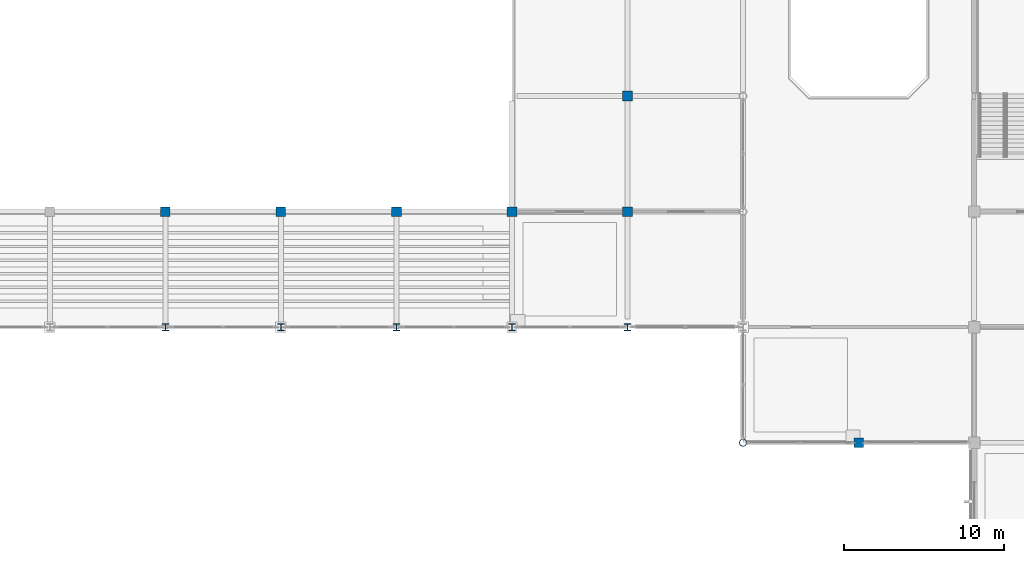
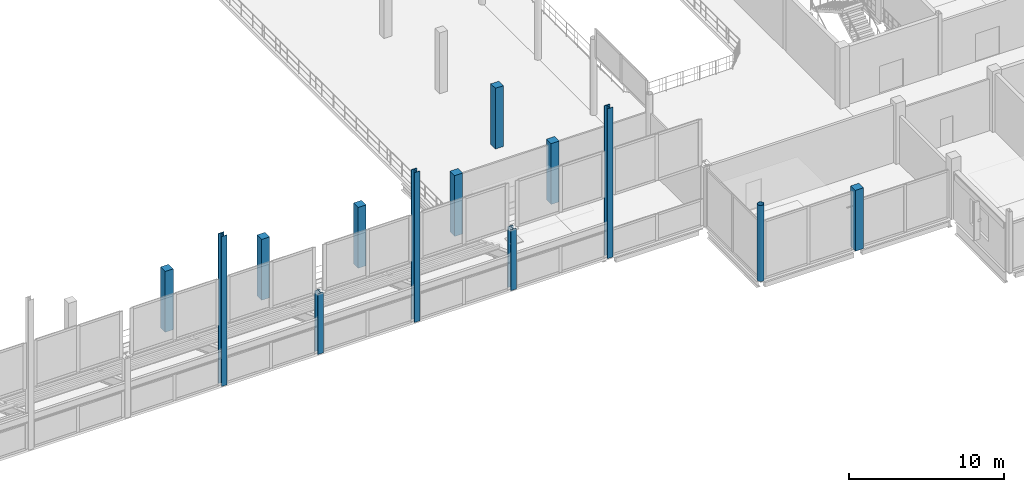
# One storey, part 3 of 120: 13 columns.
"""IFC4 building model written with IfcOpenShell, lengths in metres."""

from ifc_helpers import new_model, si_unit, direction, frame, origin, origin_2d, place, context, subcontext, project, spatial, rectangle, hollow_circle, i_section, extrude, material, material_profile, profile_set, type_object, element, save


model = new_model("IFC4")

# Units and contexts
model_context = context("Model", 3, precision=1e-05, world=origin(), true_north=direction((0.0, 1.0)))
body_context = subcontext(model_context, "Body", "Model", "MODEL_VIEW")
ifc_project = project(units=[si_unit("LENGTHUNIT", "METRE"), si_unit("AREAUNIT", "SQUARE_METRE"), si_unit("VOLUMEUNIT", "CUBIC_METRE"), si_unit("PLANEANGLEUNIT", "RADIAN"), si_unit("MASSUNIT", "GRAM", prefix="KILO")], contexts=[model_context])

# Site, building, storey
site_placement = place(None, origin())
site = spatial("IfcSite", under=ifc_project, at=site_placement, CompositionType="ELEMENT")
building_placement = place(site_placement, origin())
building = spatial("IfcBuilding", under=site, at=building_placement, Name="Vesperath Aquatics Centre", CompositionType="ELEMENT")
storey_placement = place(building_placement, frame((0.0, 0.0, 10.199951171875)))
storey = spatial("IfcBuildingStorey", under=building, at=storey_placement, Name="L02", CompositionType="ELEMENT", Elevation=10.199951171875)

# Columns
ifc_material_1 = material(Name="Concrete C40", Category="concrete")
ifc_material_profile_1 = material_profile(ifc_material_1, rectangle(XDim=0.60009765625, YDim=0.60009765625, at=origin_2d()), Name="RC 600x600")
ifc_profile_set_1 = profile_set([ifc_material_profile_1], Name="Concrete C40")
column_type_1 = type_object("IfcColumnType", Name="CL-C06", PredefinedType="COLUMN", material=ifc_profile_set_1)
for number, where, z_axis, x_axis, name in (
    (1, (64.800048828125, 21.60009765625, 0.0), (0.0, 0.0, 1.0), (1.0, 0.0, 0.0), "Column C06 L02 10/D"),
    (2, (72.0, 21.60009765625, 0.0), (0.0, 0.0, 1.0), (1.0, 0.0, 0.0), "Column C06 L02 11/D"),
    (3, (79.199951171875, 21.60009765625, 0.0), (0.0, 0.0, 1.0), (1.0, 0.0, 0.0), "Column C06 L02 12/D"),
    (4, (86.39990234375, 21.60009765625, 0.0), (0.0, 0.0, 1.0), (1.0, 0.0, 0.0), "Column C06 L02 13/D"),
    (5, (93.60009765625, 21.60009765625, 0.0), (0.0, 0.0, 1.0), (1.0, 0.0, 0.0), "Column C06 L02 14/D"),
    (6, (93.60009765625, 28.800048828125, 0.0), (0.0, 0.0, 1.0), (1.0, 0.0, 0.0), "Column C06 L02 14/E"),
    (7, (108.0, 7.199951171875, 0.0), (0.0, 0.0, 1.0), (1.0, 0.0, 0.0), "Column C06 L02 16/B"),
):
    element("IfcColumn", number, at=place(storey_placement, frame(where, z_axis=z_axis, x_axis=x_axis)), inside=storey, type_object=column_type_1, Name=name, PredefinedType="COLUMN", context=body_context, shape_type="SweptSolid", body=[
        extrude(rectangle(XDim=0.60009765625, YDim=0.60009765625, at=origin_2d()), origin(), (0.0, 0.0, 1.0), 4.800048828125),
    ])
ifc_material_2 = material(Name="Steel Q355D", Category="steel")
ifc_material_profile_2 = material_profile(ifc_material_2, i_section(OverallWidth=0.406982421875, OverallDepth=0.427978515625, WebThickness=0.02001953125, FlangeThickness=0.034912109375, FilletRadius=0.02197265625, at=origin_2d()), Name="HW 428x407x20x35")
ifc_profile_set_2 = profile_set([ifc_material_profile_2], Name="Steel Q355D")
column_type_2 = type_object("IfcColumnType", Name="CL-C09", PredefinedType="COLUMN", material=ifc_profile_set_2)
column_1_placement = place(storey_placement, frame((64.800048828125, 14.39990234375, 0.0), z_axis=(0.0, 0.0, 1.0), x_axis=(1.0, 0.0, 0.0)))
element("IfcColumn", 8, at=column_1_placement, inside=storey, type_object=column_type_2, Name="Column C09 L02 10/C", PredefinedType="COLUMN", context=body_context, shape_type="SweptSolid", body=[
    extrude(i_section(OverallWidth=0.406982421875, OverallDepth=0.427978515625, WebThickness=0.02001953125, FlangeThickness=0.034912109375, FilletRadius=0.02197265625, at=origin_2d()), origin(), (0.0, 0.0, 1.0), 11.824951171875),
])
column_2_placement = place(storey_placement, frame((72.0, 14.39990234375, 0.0), z_axis=(0.0, 0.0, 1.0), x_axis=(1.0, 0.0, 0.0)))
element("IfcColumn", 9, at=column_2_placement, inside=storey, type_object=column_type_2, Name="Column C09 L02 11/C", PredefinedType="COLUMN", context=body_context, shape_type="SweptSolid", body=[
    extrude(i_section(OverallWidth=0.406982421875, OverallDepth=0.427978515625, WebThickness=0.02001953125, FlangeThickness=0.034912109375, FilletRadius=0.02197265625, at=origin_2d()), origin(), (0.0, 0.0, 1.0), 4.800048828125),
])
column_3_placement = place(storey_placement, frame((79.199951171875, 14.39990234375, 0.0), z_axis=(0.0, 0.0, 1.0), x_axis=(1.0, 0.0, 0.0)))
element("IfcColumn", 10, at=column_3_placement, inside=storey, type_object=column_type_2, Name="Column C09 L02 12/C", PredefinedType="COLUMN", context=body_context, shape_type="SweptSolid", body=[
    extrude(i_section(OverallWidth=0.406982421875, OverallDepth=0.427978515625, WebThickness=0.02001953125, FlangeThickness=0.034912109375, FilletRadius=0.02197265625, at=origin_2d()), origin(), (0.0, 0.0, 1.0), 11.824951171875),
])
column_4_placement = place(storey_placement, frame((86.39990234375, 14.39990234375, 0.0), z_axis=(0.0, 0.0, 1.0), x_axis=(1.0, 0.0, 0.0)))
element("IfcColumn", 11, at=column_4_placement, inside=storey, type_object=column_type_2, Name="Column C09 L02 13/C", PredefinedType="COLUMN", context=body_context, shape_type="SweptSolid", body=[
    extrude(i_section(OverallWidth=0.406982421875, OverallDepth=0.427978515625, WebThickness=0.02001953125, FlangeThickness=0.034912109375, FilletRadius=0.02197265625, at=origin_2d()), origin(), (0.0, 0.0, 1.0), 4.800048828125),
])
column_5_placement = place(storey_placement, frame((93.60009765625, 14.39990234375, 0.0), z_axis=(0.0, 0.0, 1.0), x_axis=(1.0, 0.0, 0.0)))
element("IfcColumn", 12, at=column_5_placement, inside=storey, type_object=column_type_2, Name="Column C09 L02 14/C", PredefinedType="COLUMN", context=body_context, shape_type="SweptSolid", body=[
    extrude(i_section(OverallWidth=0.406982421875, OverallDepth=0.427978515625, WebThickness=0.02001953125, FlangeThickness=0.034912109375, FilletRadius=0.02197265625, at=origin_2d()), origin(), (0.0, 0.0, 1.0), 11.824951171875),
])
ifc_material_profile_3 = material_profile(ifc_material_2, hollow_circle(Radius=0.228515625, WallThickness=0.02001953125, at=origin_2d()), Name="CHS 457.0x20")
ifc_profile_set_3 = profile_set([ifc_material_profile_3], Name="Steel Q355D")
column_type_3 = type_object("IfcColumnType", Name="CL-C13", PredefinedType="COLUMN", material=ifc_profile_set_3)
column_6_placement = place(storey_placement, frame((100.800048828125, 7.199951171875, 0.0), z_axis=(0.0, 0.0, 1.0), x_axis=(1.0, 0.0, 0.0)))
element("IfcColumn", 13, at=column_6_placement, inside=storey, type_object=column_type_3, Name="Column C13 L02 15/B", PredefinedType="COLUMN", context=body_context, shape_type="SweptSolid", body=[
    extrude(hollow_circle(Radius=0.228515625, WallThickness=0.02001953125, at=origin_2d()), origin(), (0.0, 0.0, 1.0), 6.0),
])

save(model, "model.ifc")
